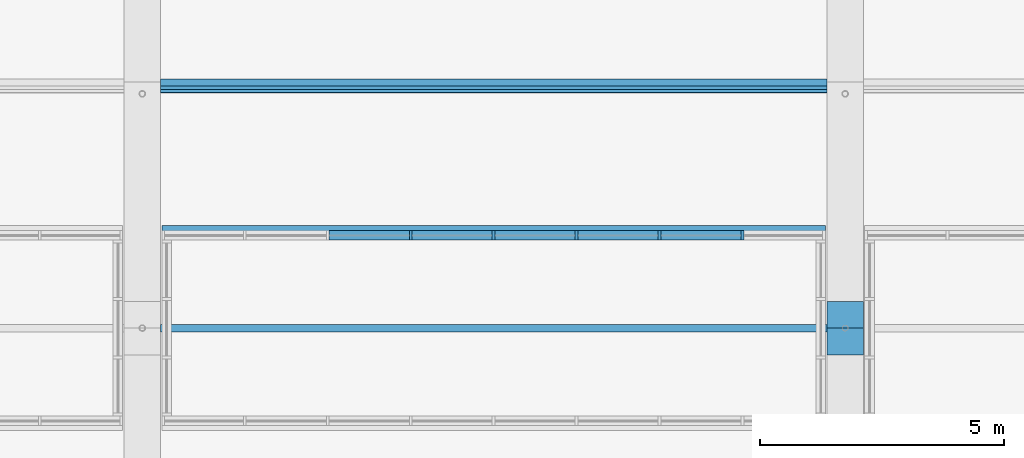
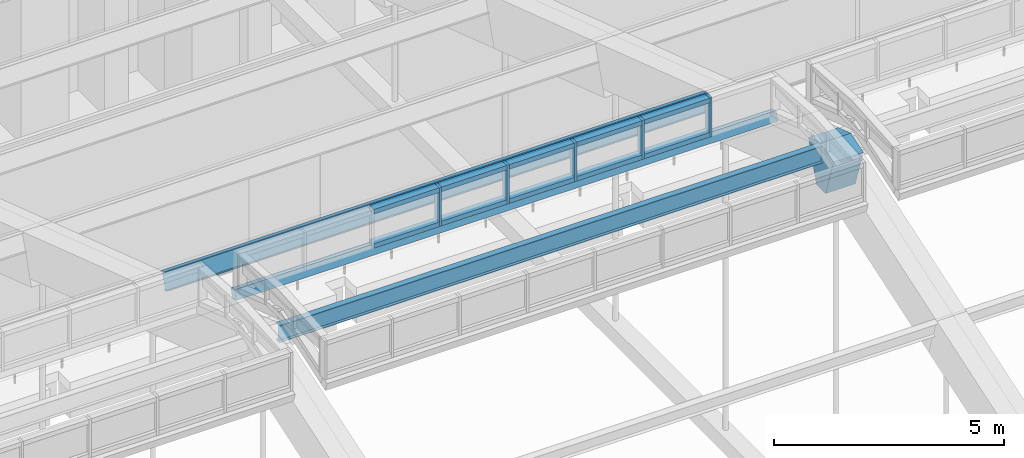
# One storey, part 37 of 149: 19 members, 1 element without a shape of its own.
"""IFC4 building model written with IfcOpenShell, lengths in metres."""

from ifc_helpers import new_model, si_unit, direction, frame, origin, origin_2d, place, context, subcontext, project, spatial, polyline, rectangle, i_section, outline, extrude, material, material_profile, profile_set, type_object, element, aggregate, save


model = new_model("IFC4")

# Units and contexts
model_context = context("Model", 3, precision=1e-05, world=origin(), true_north=direction((0.0, 1.0)))
body_context = subcontext(model_context, "Body", "Model", "MODEL_VIEW")
ifc_project = project(units=[si_unit("LENGTHUNIT", "METRE"), si_unit("AREAUNIT", "SQUARE_METRE"), si_unit("VOLUMEUNIT", "CUBIC_METRE"), si_unit("PLANEANGLEUNIT", "RADIAN"), si_unit("MASSUNIT", "GRAM", prefix="KILO")], contexts=[model_context])

# Site, building, storey
site_placement = place(None, origin())
site = spatial("IfcSite", under=ifc_project, at=site_placement, CompositionType="ELEMENT")
building_placement = place(site_placement, origin())
building = spatial("IfcBuilding", under=site, at=building_placement, Name="Alderwick Market Hall", CompositionType="ELEMENT")
storey_placement = place(building_placement, frame((0.0, 0.0, 9.60009765625)))
storey = spatial("IfcBuildingStorey", under=building, at=storey_placement, Name="L01", CompositionType="ELEMENT", Elevation=9.60009765625)

# Curtain wall, members
ifc_material_1 = material(Name="Aluminium", Category="aluminium")
curtain_wall_type = type_object("IfcCurtainWallType", Name="R Curtain Wall Frame", PredefinedType="NOTDEFINED", material=ifc_material_1)
curtain_wall_placement = place(storey_placement, origin())
curtain_wall = element("IfcCurtainWall", 1, at=curtain_wall_placement, inside=storey, type_object=curtain_wall_type, Name="Curtain wall LCW N2", PredefinedType="NOTDEFINED")
ifc_material_profile_1 = material_profile(ifc_material_1, rectangle(XDim=0.199951171875, YDim=0.06005859375, at=origin_2d()), Name="AL 60x200")
ifc_profile_set_1 = profile_set([ifc_material_profile_1], Name="Aluminium")
member_type_1 = type_object("IfcMemberType", Name="R CW Mullion 60x200", PredefinedType="MULLION", material=ifc_profile_set_1)
member_1_placement = place(storey_placement, frame((70.300048828125, 81.10009765625, 16.670166015625), z_axis=(0.0, 0.0, 1.0), x_axis=(0.0, 1.0, 0.0)))
member_1 = element("IfcMember", 2, at=member_1_placement, type_object=member_type_1, Name="LCW N2 mullion 4", PredefinedType="MULLION", context=body_context, shape_type="SweptSolid", body=[
    extrude(rectangle(XDim=0.199951171875, YDim=0.06005859375, at=origin_2d()), origin(), (0.0, 0.0, 1.0), 1.02978515625),
])
member_2_placement = place(storey_placement, frame((72.0, 81.10009765625, 16.670166015625), z_axis=(0.0, 0.0, 1.0), x_axis=(0.0, 1.0, 0.0)))
member_2 = element("IfcMember", 3, at=member_2_placement, type_object=member_type_1, Name="LCW N2 mullion 5", PredefinedType="MULLION", context=body_context, shape_type="SweptSolid", body=[
    extrude(rectangle(XDim=0.199951171875, YDim=0.06005859375, at=origin_2d()), origin(), (0.0, 0.0, 1.0), 1.02978515625),
])
member_3_placement = place(storey_placement, frame((73.699951171875, 81.10009765625, 16.670166015625), z_axis=(0.0, 0.0, 1.0), x_axis=(0.0, 1.0, 0.0)))
member_3 = element("IfcMember", 4, at=member_3_placement, type_object=member_type_1, Name="LCW N2 mullion 6", PredefinedType="MULLION", context=body_context, shape_type="SweptSolid", body=[
    extrude(rectangle(XDim=0.199951171875, YDim=0.06005859375, at=origin_2d()), origin(), (0.0, 0.0, 1.0), 1.02978515625),
])
member_4_placement = place(storey_placement, frame((75.39990234375, 81.10009765625, 16.670166015625), z_axis=(0.0, 0.0, 1.0), x_axis=(0.0, 1.0, 0.0)))
member_4 = element("IfcMember", 5, at=member_4_placement, type_object=member_type_1, Name="LCW N2 mullion 7", PredefinedType="MULLION", context=body_context, shape_type="SweptSolid", body=[
    extrude(rectangle(XDim=0.199951171875, YDim=0.06005859375, at=origin_2d()), origin(), (0.0, 0.0, 1.0), 1.02978515625),
])
member_5_placement = place(storey_placement, frame((77.10009765625, 81.10009765625, 16.670166015625), z_axis=(0.0, 0.0, 1.0), x_axis=(0.0, 1.0, 0.0)))
member_5 = element("IfcMember", 6, at=member_5_placement, type_object=member_type_1, Name="LCW N2 mullion 8", PredefinedType="MULLION", context=body_context, shape_type="SweptSolid", body=[
    extrude(rectangle(XDim=0.199951171875, YDim=0.06005859375, at=origin_2d()), origin(), (0.0, 0.0, 1.0), 1.02978515625),
])
ifc_material_profile_2 = material_profile(ifc_material_1, rectangle(XDim=0.199951171875, YDim=0.1201171875, at=origin_2d()), Name="AL 120x200")
ifc_profile_set_2 = profile_set([ifc_material_profile_2], Name="Aluminium")
member_type_2 = type_object("IfcMemberType", Name="R CW Transom 120x200", PredefinedType="USERDEFINED", material=ifc_profile_set_2)
member_6_placement = place(storey_placement, frame((68.6298828125, 81.10009765625, 16.730224609375), z_axis=(1.0, 0.0, 0.0), x_axis=(0.0, 1.0, 0.0)))
member_6 = element("IfcMember", 7, at=member_6_placement, type_object=member_type_2, Name="LCW N2 sill transom 3", ObjectType="TRANSOM", PredefinedType="USERDEFINED", context=body_context, shape_type="SweptSolid", body=[
    extrude(rectangle(XDim=0.199951171875, YDim=0.1201171875, at=origin_2d()), origin(), (0.0, 0.0, 1.0), 1.64013671875),
])
member_7_placement = place(storey_placement, frame((68.6298828125, 81.10009765625, 17.639892578125), z_axis=(1.0, 0.0, 0.0), x_axis=(0.0, 1.0, 0.0)))
member_7 = element("IfcMember", 8, at=member_7_placement, type_object=member_type_2, Name="LCW N2 head transom 3", ObjectType="TRANSOM", PredefinedType="USERDEFINED", context=body_context, shape_type="SweptSolid", body=[
    extrude(rectangle(XDim=0.199951171875, YDim=0.1201171875, at=origin_2d()), origin(), (0.0, 0.0, 1.0), 1.64013671875),
])
member_8_placement = place(storey_placement, frame((70.330078125, 81.10009765625, 16.730224609375), z_axis=(1.0, 0.0, 0.0), x_axis=(0.0, 1.0, 0.0)))
member_8 = element("IfcMember", 9, at=member_8_placement, type_object=member_type_2, Name="LCW N2 sill transom 4", ObjectType="TRANSOM", PredefinedType="USERDEFINED", context=body_context, shape_type="SweptSolid", body=[
    extrude(rectangle(XDim=0.199951171875, YDim=0.1201171875, at=origin_2d()), origin(), (0.0, 0.0, 1.0), 1.639892578125),
])
member_9_placement = place(storey_placement, frame((70.330078125, 81.10009765625, 17.639892578125), z_axis=(1.0, 0.0, 0.0), x_axis=(0.0, 1.0, 0.0)))
member_9 = element("IfcMember", 10, at=member_9_placement, type_object=member_type_2, Name="LCW N2 head transom 4", ObjectType="TRANSOM", PredefinedType="USERDEFINED", context=body_context, shape_type="SweptSolid", body=[
    extrude(rectangle(XDim=0.199951171875, YDim=0.1201171875, at=origin_2d()), origin(), (0.0, 0.0, 1.0), 1.639892578125),
])
member_10_placement = place(storey_placement, frame((72.030029296875, 81.10009765625, 16.730224609375), z_axis=(1.0, 0.0, 0.0), x_axis=(0.0, 1.0, 0.0)))
member_10 = element("IfcMember", 11, at=member_10_placement, type_object=member_type_2, Name="LCW N2 sill transom 5", ObjectType="TRANSOM", PredefinedType="USERDEFINED", context=body_context, shape_type="SweptSolid", body=[
    extrude(rectangle(XDim=0.199951171875, YDim=0.1201171875, at=origin_2d()), origin(), (0.0, 0.0, 1.0), 1.639892578125),
])
member_11_placement = place(storey_placement, frame((72.030029296875, 81.10009765625, 17.639892578125), z_axis=(1.0, 0.0, 0.0), x_axis=(0.0, 1.0, 0.0)))
member_11 = element("IfcMember", 12, at=member_11_placement, type_object=member_type_2, Name="LCW N2 head transom 5", ObjectType="TRANSOM", PredefinedType="USERDEFINED", context=body_context, shape_type="SweptSolid", body=[
    extrude(rectangle(XDim=0.199951171875, YDim=0.1201171875, at=origin_2d()), origin(), (0.0, 0.0, 1.0), 1.639892578125),
])
member_12_placement = place(storey_placement, frame((73.72998046875, 81.10009765625, 16.730224609375), z_axis=(1.0, 0.0, 0.0), x_axis=(0.0, 1.0, 0.0)))
member_12 = element("IfcMember", 13, at=member_12_placement, type_object=member_type_2, Name="LCW N2 sill transom 6", ObjectType="TRANSOM", PredefinedType="USERDEFINED", context=body_context, shape_type="SweptSolid", body=[
    extrude(rectangle(XDim=0.199951171875, YDim=0.1201171875, at=origin_2d()), origin(), (0.0, 0.0, 1.0), 1.64013671875),
])
member_13_placement = place(storey_placement, frame((73.72998046875, 81.10009765625, 17.639892578125), z_axis=(1.0, 0.0, 0.0), x_axis=(0.0, 1.0, 0.0)))
member_13 = element("IfcMember", 14, at=member_13_placement, type_object=member_type_2, Name="LCW N2 head transom 6", ObjectType="TRANSOM", PredefinedType="USERDEFINED", context=body_context, shape_type="SweptSolid", body=[
    extrude(rectangle(XDim=0.199951171875, YDim=0.1201171875, at=origin_2d()), origin(), (0.0, 0.0, 1.0), 1.64013671875),
])
member_14_placement = place(storey_placement, frame((75.429931640625, 81.10009765625, 16.730224609375), z_axis=(1.0, 0.0, 0.0), x_axis=(0.0, 1.0, 0.0)))
member_14 = element("IfcMember", 15, at=member_14_placement, type_object=member_type_2, Name="LCW N2 sill transom 7", ObjectType="TRANSOM", PredefinedType="USERDEFINED", context=body_context, shape_type="SweptSolid", body=[
    extrude(rectangle(XDim=0.199951171875, YDim=0.1201171875, at=origin_2d()), origin(), (0.0, 0.0, 1.0), 1.64013671875),
])
member_15_placement = place(storey_placement, frame((75.429931640625, 81.10009765625, 17.639892578125), z_axis=(1.0, 0.0, 0.0), x_axis=(0.0, 1.0, 0.0)))
member_15 = element("IfcMember", 16, at=member_15_placement, type_object=member_type_2, Name="LCW N2 head transom 7", ObjectType="TRANSOM", PredefinedType="USERDEFINED", context=body_context, shape_type="SweptSolid", body=[
    extrude(rectangle(XDim=0.199951171875, YDim=0.1201171875, at=origin_2d()), origin(), (0.0, 0.0, 1.0), 1.64013671875),
])

# Member
ifc_material_2 = material(Name="Concrete 5000 psi (f'c 35 MPa)", Category="concrete")
ifc_material_profile_3 = material_profile(ifc_material_2, outline(polyline([(-0.199951171875, 0.0), (-0.5478515625, 1.04345703125), (0.0, 1.22607421875), (0.5478515625, 1.04345703125), (0.199951171875, 0.0), (-0.199951171875, 0.0)])), Name="RC crown knuckle")
ifc_profile_set_3 = profile_set([ifc_material_profile_3], Name="Concrete 5000 psi (f'c 35 MPa)")
member_type_3 = type_object("IfcMemberType", Name="R Crown Knuckle 750", PredefinedType="MEMBER", material=ifc_profile_set_3)
member_16_placement = place(storey_placement, frame((78.824951171875, 79.199951171875, 15.764404296875), z_axis=(1.0, 0.0, 0.0), x_axis=(0.0, 1.0, 0.0)))
element("IfcMember", 17, at=member_16_placement, inside=storey, type_object=member_type_3, Name="Crown knuckle 3", PredefinedType="MEMBER", context=body_context, shape_type="SweptSolid", body=[
    extrude(outline(polyline([(-0.199951171875, 0.0), (-0.5478515625, 1.04345703125), (0.0, 1.22607421875), (0.5478515625, 1.04345703125), (0.199951171875, 0.0), (-0.199951171875, 0.0)])), origin(), (0.0, 0.0, 1.0), 0.75),
])

ifc_material_3 = material(Name="Steel ASTM A572 Grade 50", Category="steel")
ifc_material_profile_4 = material_profile(ifc_material_3, rectangle(XDim=0.199951171875, YDim=0.25, at=origin_2d()), Name="Steel plate curb 200x250")
ifc_profile_set_4 = profile_set([ifc_material_profile_4], Name="Steel ASTM A572 Grade 50")
member_type_4 = type_object("IfcMemberType", Name="R Lantern Curb 200x250", PredefinedType="MEMBER", material=ifc_profile_set_4)
member_17_placement = place(storey_placement, frame((65.199951171875, 81.164794921875, 16.551513671875), z_axis=(1.0, 0.0, 0.0), x_axis=(0.0, 0.948683297073, -0.316227768949)))
member_17 = element("IfcMember", 18, at=member_17_placement, type_object=member_type_4, Name="Lantern curb N2", PredefinedType="MEMBER", context=body_context, shape_type="SweptSolid", body=[
    extrude(rectangle(XDim=0.199951171875, YDim=0.25, at=origin_2d()), origin(), (0.0, 0.0, 1.0), 13.60009765625),
])

aggregate(curtain_wall, [member_1, member_2, member_3, member_4, member_5, member_6, member_7, member_8, member_9, member_10, member_11, member_12, member_13, member_14, member_15, member_17])

# Members
ifc_material_4 = material(Name="Steel ASTM A992 Grade 50", Category="steel")
ifc_material_profile_5 = material_profile(ifc_material_4, i_section(OverallWidth=0.153076171875, OverallDepth=0.455078125, WebThickness=0.008056640625, FlangeThickness=0.01318359375, at=origin_2d()), Name="W18x40")
ifc_profile_set_5 = profile_set([ifc_material_profile_5], Name="Steel ASTM A992 Grade 50")
member_type_5 = type_object("IfcMemberType", Name="R Purlin W18x40", PredefinedType="PURLIN", material=ifc_profile_set_5)
for number, where, z_axis, x_axis, name in (
    (19, (65.175048828125, 79.199951171875, 16.7314453125), (1.0, 0.0, 0.0), (0.0, 1.0, 0.0), "Roof purlin 7.2"),
    (20, (65.175048828125, 84.163330078125, 15.08984375), (1.0, 0.0, 0.0), (0.0, 0.948683297073, -0.316227768949), "Roof purlin 8.2"),
):
    element("IfcMember", number, at=place(storey_placement, frame(where, z_axis=z_axis, x_axis=x_axis)), inside=storey, type_object=member_type_5, Name=name, PredefinedType="PURLIN", context=body_context, shape_type="SweptSolid", body=[
        extrude(i_section(OverallWidth=0.153076171875, OverallDepth=0.455078125, WebThickness=0.008056640625, FlangeThickness=0.01318359375, at=origin_2d()), origin(), (0.0, 0.0, 1.0), 13.64990234375),
    ])

save(model, "model.ifc")
